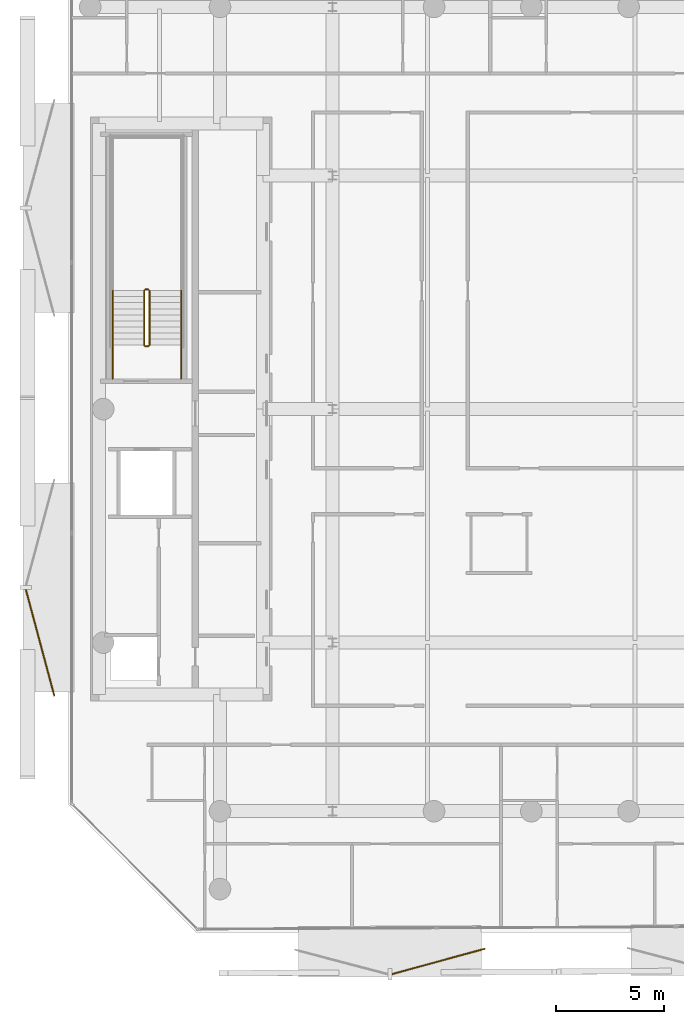
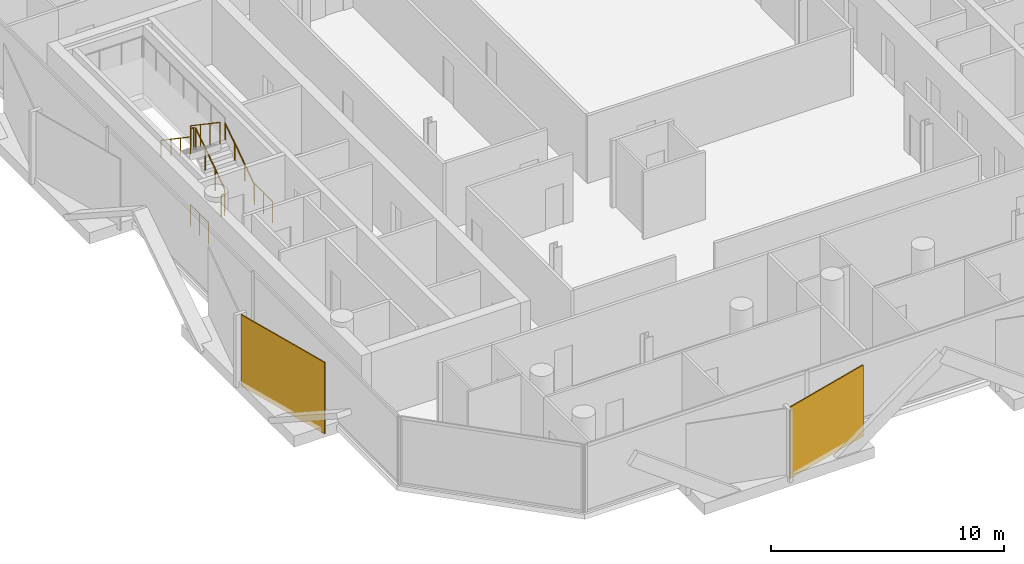
# One storey, part 13 of 15: 8 railings, 2 coverings.
"""IFC4 building model written with IfcOpenShell, lengths in metres."""

from ifc_helpers import new_model, si_unit, direction, frame, origin, origin_2d, place, context, subcontext, project, spatial, rectangle, circle, extrude, material, layer, layer_set, type_object, element, save


model = new_model("IFC4")

# Units and contexts
model_context = context("Model", 3, precision=1e-05, world=origin(), true_north=direction((0.0, 1.0)))
body_context = subcontext(model_context, "Body", "Model", "MODEL_VIEW")
ifc_project = project(units=[si_unit("LENGTHUNIT", "METRE"), si_unit("AREAUNIT", "SQUARE_METRE"), si_unit("VOLUMEUNIT", "CUBIC_METRE"), si_unit("PLANEANGLEUNIT", "RADIAN"), si_unit("MASSUNIT", "GRAM", prefix="KILO")], contexts=[model_context])

# Site, building, storey
site_placement = place(None, origin())
site = spatial("IfcSite", under=ifc_project, at=site_placement, CompositionType="ELEMENT")
building_placement = place(site_placement, origin())
building = spatial("IfcBuilding", under=site, at=building_placement, Name="Khairoan Windgate Tower", CompositionType="ELEMENT")
storey_placement = place(building_placement, frame((0.0, 0.0, 285.199951171875)))
storey = spatial("IfcBuildingStorey", under=building, at=storey_placement, Name="L68", CompositionType="ELEMENT", Elevation=285.199951171875)

# Coverings
ifc_material_1 = material(Name="Anodised Bronze Aluminium 6063-T6", Category="aluminium")
ifc_layer = layer(ifc_material_1, 0.054931640625, Name="Anodised Bronze Aluminium 6063-T6")
ifc_layer_set = layer_set([ifc_layer], Name="Anodised Bronze Aluminium 6063-T6")
covering_type = type_object("IfcCoveringType", Name="Perforated Bronze-Ceramic Folded Solar Screen Cladding BSC-1", PredefinedType="CLADDING", material=ifc_layer_set)
covering_1_placement = place(storey_placement, frame((-4.2958984375, -25.547607421875, -0.10009765625), z_axis=(0.0, 0.0, 1.0), x_axis=(-0.964649468762, -0.263536339841, 0.0)))
element("IfcCovering", 1, at=covering_1_placement, inside=storey, type_object=covering_type, Name="L68 Folded Bronze Solar Screen Facet 471L", PredefinedType="CLADDING", context=body_context, shape_type="SweptSolid", body=[
    extrude(rectangle(XDim=4.4619140625, YDim=0.054931640625, at=origin_2d()), origin(), (0.0, 0.0, 1.0), 3.739990234375),
])
covering_2_placement = place(storey_placement, frame((-22.720703125, -10.80908203125, -0.10009765625), z_axis=(0.0, 0.0, 1.0), x_axis=(-0.258819045103, 0.965925826289, 0.0)))
element("IfcCovering", 2, at=covering_2_placement, inside=storey, type_object=covering_type, Name="L68 Folded Bronze Solar Screen Facet 472L", PredefinedType="CLADDING", context=body_context, shape_type="SweptSolid", body=[
    extrude(rectangle(XDim=5.093994140625, YDim=0.054931640625, at=origin_2d()), origin(), (0.0, 0.0, 1.0), 3.739990234375),
])

# Railings
ifc_material_2 = material(Name="Anodised Bronze Aluminium 6063-T6", Category="aluminium")
railing_type_1 = type_object("IfcRailingType", Name="Stair Wall Handrail SHR-900", PredefinedType="HANDRAIL", material=ifc_material_2)
railing_1_placement = place(storey_placement, frame((-16.199951171875, 2.9599609375, 0.18994140625)))
element("IfcRailing", 3, at=railing_1_placement, inside=storey, type_object=railing_type_1, Name="L68 ST2 stair handrail 1", PredefinedType="HANDRAIL", context=body_context, shape_type="SweptSolid", body=[
    extrude(circle(Radius=0.02392578125, at=origin_2d()), frame((0.0, 0.0, 0.8759765625), z_axis=(0.0, 0.82744650838, 0.561544544778), x_axis=(-1.0, 0.0, 0.0)), (0.0, 0.0, 1.0), 3.045654296875),
    extrude(circle(Radius=0.02099609375, at=origin_2d()), origin(), (0.0, 0.0, 1.0), 0.851806640625),
    extrude(circle(Radius=0.02099609375, at=origin_2d()), frame((0.0, 0.840087890625, 0.570068359375)), (0.0, 0.0, 1.0), 0.851806640625),
    extrude(circle(Radius=0.02099609375, at=origin_2d()), frame((0.0, 1.679931640625, 1.14013671875)), (0.0, 0.0, 1.0), 0.851806640625),
    extrude(circle(Radius=0.02099609375, at=origin_2d()), frame((0.0, 2.52001953125, 1.710205078125)), (0.0, 0.0, 1.0), 0.851806640625),
])
railing_2_placement = place(storey_placement, frame((-19.3701171875, 5.47998046875, 2.090087890625)))
element("IfcRailing", 4, at=railing_2_placement, inside=storey, type_object=railing_type_1, Name="L68 ST2 stair handrail 2", PredefinedType="HANDRAIL", context=body_context, shape_type="SweptSolid", body=[
    extrude(circle(Radius=0.02392578125, at=origin_2d()), frame((0.0, 0.0, 0.8759765625), z_axis=(0.0, -0.827483756001, 0.561489655786), x_axis=(1.0, 0.0, 0.0)), (0.0, 0.0, 1.0), 3.04541015625),
    extrude(circle(Radius=0.02099609375, at=origin_2d()), origin(), (0.0, 0.0, 1.0), 0.851806640625),
    extrude(circle(Radius=0.02099609375, at=origin_2d()), frame((0.0, -0.840087890625, 0.570068359375)), (0.0, 0.0, 1.0), 0.851806640625),
    extrude(circle(Radius=0.02099609375, at=origin_2d()), frame((0.0, -1.679931640625, 1.139892578125)), (0.0, 0.0, 1.0), 0.851806640625),
    extrude(circle(Radius=0.02099609375, at=origin_2d()), frame((0.0, -2.52001953125, 1.7099609375)), (0.0, 0.0, 1.0), 0.851806640625),
])
ifc_material_3 = material(Name="Steel S355", Category="steel")
railing_type_2 = type_object("IfcRailingType", Name="Stairwell Safety Guardrail SGR-1150", PredefinedType="GUARDRAIL", material=ifc_material_3)
railing_3_placement = place(storey_placement, frame((-17.659912109375, 2.9599609375, 0.18994140625)))
element("IfcRailing", 5, at=railing_3_placement, inside=storey, type_object=railing_type_2, Name="L68 ST2 stair guard 1", PredefinedType="GUARDRAIL", context=body_context, shape_type="SweptSolid", body=[
    extrude(circle(Radius=0.02392578125, at=origin_2d()), frame((0.0, 0.0, 1.1259765625), z_axis=(0.0, 0.82744650838, 0.561544544778), x_axis=(-1.0, 0.0, 0.0)), (0.0, 0.0, 1.0), 3.045654296875),
    extrude(circle(Radius=0.02099609375, at=origin_2d()), origin(), (0.0, 0.0, 1.0), 1.101806640625),
    extrude(circle(Radius=0.02099609375, at=origin_2d()), frame((0.0, 0.840087890625, 0.570068359375)), (0.0, 0.0, 1.0), 1.101806640625),
    extrude(circle(Radius=0.02099609375, at=origin_2d()), frame((0.0, 1.679931640625, 1.14013671875)), (0.0, 0.0, 1.0), 1.101806640625),
    extrude(circle(Radius=0.02099609375, at=origin_2d()), frame((0.0, 2.52001953125, 1.710205078125)), (0.0, 0.0, 1.0), 1.101806640625),
])
railing_4_placement = place(storey_placement, frame((-17.7099609375, 5.530029296875, 1.900146484375)))
element("IfcRailing", 6, at=railing_4_placement, inside=storey, type_object=railing_type_2, Name="L68 ST2 stair guard 2", PredefinedType="GUARDRAIL", context=body_context, shape_type="SweptSolid", body=[
    extrude(circle(Radius=0.02392578125, at=origin_2d()), frame((0.0, 0.0, 1.1259765625), z_axis=(-1.0, 0.0, 0.0), x_axis=(0.0, -1.0, 0.0)), (0.0, 0.0, 1.0), 0.150146484375),
    extrude(circle(Radius=0.02099609375, at=origin_2d()), origin(), (0.0, 0.0, 1.0), 1.101806640625),
    extrude(circle(Radius=0.02099609375, at=origin_2d()), frame((-0.150146484375, 0.0, 0.0)), (0.0, 0.0, 1.0), 1.101806640625),
])
railing_5_placement = place(storey_placement, frame((-17.909912109375, 5.47998046875, 2.090087890625)))
element("IfcRailing", 7, at=railing_5_placement, inside=storey, type_object=railing_type_2, Name="L68 ST2 stair guard 6", PredefinedType="GUARDRAIL", context=body_context, shape_type="SweptSolid", body=[
    extrude(circle(Radius=0.02392578125, at=origin_2d()), frame((0.0, 0.0, 1.1259765625), z_axis=(0.0, -0.827483756001, 0.561489655786), x_axis=(1.0, 0.0, 0.0)), (0.0, 0.0, 1.0), 3.04541015625),
    extrude(circle(Radius=0.02099609375, at=origin_2d()), origin(), (0.0, 0.0, 1.0), 1.101806640625),
    extrude(circle(Radius=0.02099609375, at=origin_2d()), frame((0.0, -0.840087890625, 0.570068359375)), (0.0, 0.0, 1.0), 1.101806640625),
    extrude(circle(Radius=0.02099609375, at=origin_2d()), frame((0.0, -1.679931640625, 1.139892578125)), (0.0, 0.0, 1.0), 1.101806640625),
    extrude(circle(Radius=0.02099609375, at=origin_2d()), frame((0.0, -2.52001953125, 1.7099609375)), (0.0, 0.0, 1.0), 1.101806640625),
])
railing_6_placement = place(storey_placement, frame((-17.7099609375, 2.909912109375, 0.0)))
element("IfcRailing", 8, at=railing_6_placement, inside=storey, type_object=railing_type_2, Name="L68 ST2 stair guard 7", PredefinedType="GUARDRAIL", context=body_context, shape_type="SweptSolid", body=[
    extrude(circle(Radius=0.02392578125, at=origin_2d()), frame((0.0, 0.0, 1.1259765625), z_axis=(-1.0, 0.0, 0.0), x_axis=(0.0, -1.0, 0.0)), (0.0, 0.0, 1.0), 0.150146484375),
    extrude(circle(Radius=0.02099609375, at=origin_2d()), origin(), (0.0, 0.0, 1.0), 1.101806640625),
    extrude(circle(Radius=0.02099609375, at=origin_2d()), frame((-0.150146484375, 0.0, 0.0)), (0.0, 0.0, 1.0), 1.101806640625),
])
for number, where, name in (
    (9, (-16.199951171875, 1.39990234375, 0.0), "L68 ST2 stair guard 8"),
    (10, (-19.3701171875, 1.39990234375, 0.0), "L68 ST2 stair guard 9"),
):
    element("IfcRailing", number, at=place(storey_placement, frame(where)), inside=storey, type_object=railing_type_2, Name=name, PredefinedType="GUARDRAIL", context=body_context, shape_type="SweptSolid", body=[
        extrude(circle(Radius=0.02392578125, at=origin_2d()), frame((0.0, 0.0, 1.1259765625), z_axis=(0.0, 1.0, 0.0), x_axis=(-1.0, 0.0, 0.0)), (0.0, 0.0, 1.0), 1.56005859375),
        extrude(circle(Radius=0.02099609375, at=origin_2d()), origin(), (0.0, 0.0, 1.0), 1.101806640625),
        extrude(circle(Radius=0.02099609375, at=origin_2d()), frame((0.0, 0.780029296875, 0.0)), (0.0, 0.0, 1.0), 1.101806640625),
        extrude(circle(Radius=0.02099609375, at=origin_2d()), frame((0.0, 1.56005859375, 0.0)), (0.0, 0.0, 1.0), 1.101806640625),
    ])

save(model, "model.ifc")
